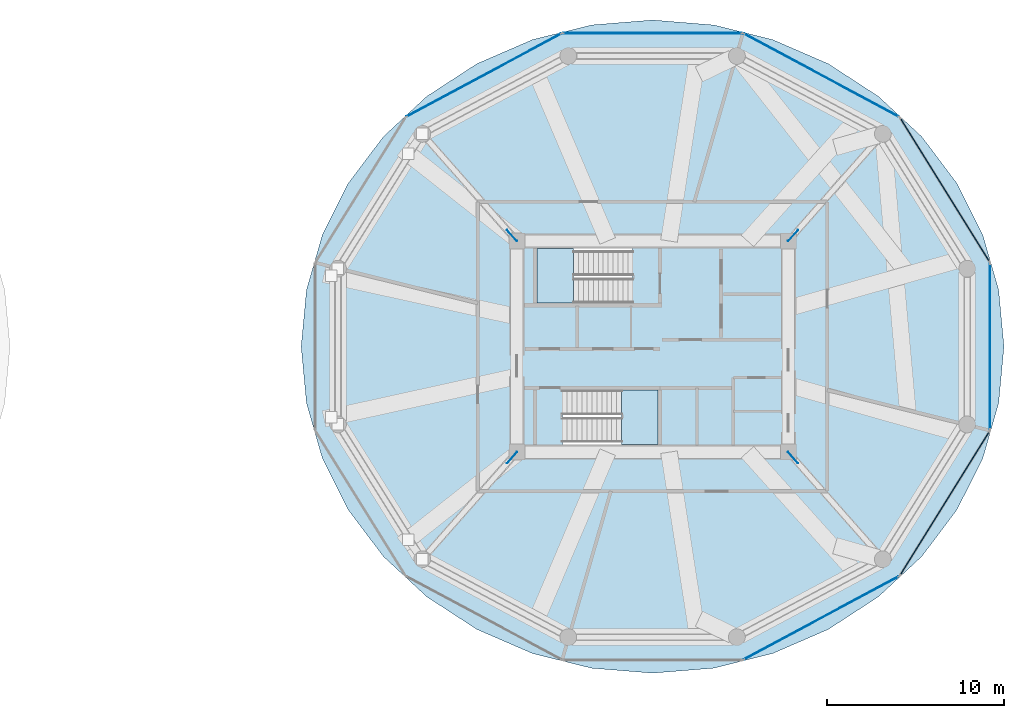
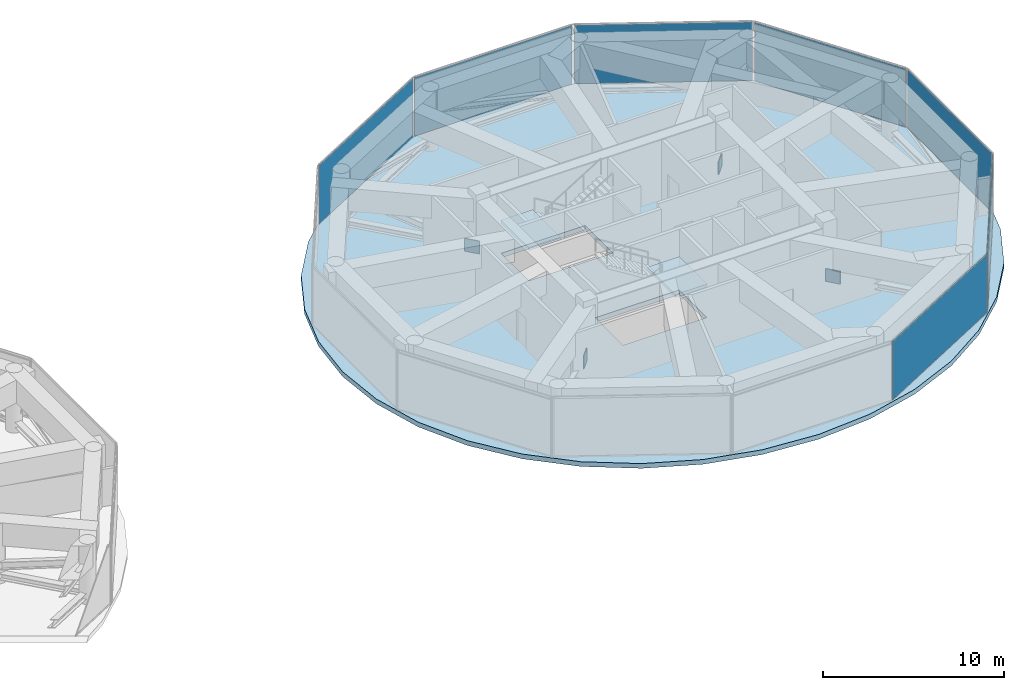
# One storey, part 15 of 22: 11 plates, 3 slabs, 9 elements without a shape of their own.
"""IFC4 building model written with IfcOpenShell, lengths in metres."""

from ifc_helpers import new_model, si_unit, direction, frame, origin, origin_2d, place, context, subcontext, project, spatial, polyline, rectangle, outline, extrude, source, transform, mapped, material, layer, layer_set, type_object, type_shapes, element, aggregate, save


model = new_model("IFC4")

# Units and contexts
model_context = context("Model", 3, precision=1e-05, world=origin(), true_north=direction((0.0, 1.0)))
body_context = subcontext(model_context, "Body", "Model", "MODEL_VIEW")
ifc_project = project(units=[si_unit("LENGTHUNIT", "METRE"), si_unit("AREAUNIT", "SQUARE_METRE"), si_unit("VOLUMEUNIT", "CUBIC_METRE"), si_unit("PLANEANGLEUNIT", "RADIAN"), si_unit("MASSUNIT", "GRAM", prefix="KILO")], contexts=[model_context])

# Site, building, storey
site_placement = place(None, origin())
site = spatial("IfcSite", under=ifc_project, at=site_placement, CompositionType="ELEMENT")
building_placement = place(site_placement, origin())
building = spatial("IfcBuilding", under=site, at=building_placement, Name="Norrkilde Senior Care Towers", CompositionType="ELEMENT")
storey_placement = place(building_placement, frame((0.0, 0.0, 73.449951171875)))
storey = spatial("IfcBuildingStorey", under=building, at=storey_placement, Name="L22", CompositionType="ELEMENT", Elevation=73.449951171875)

# Slab
ifc_material_1 = material(Name="Concrete C50/60", Category="concrete")
ifc_layer_1 = layer(ifc_material_1, 0.320068359375)
ifc_layer_set_1 = layer_set([ifc_layer_1], Name="Concrete C50/60")
slab_type_1 = type_object("IfcSlabType", Name="Podium Clinic Floor Slab 320", PredefinedType="FLOOR", material=ifc_layer_set_1)
slab_1_placement = place(storey_placement, frame((0.0, 0.0, -0.320068359375)))
element("IfcSlab", 1, at=slab_1_placement, inside=storey, type_object=slab_type_1, Name="L22 Drum E Structural Floor Slab", PredefinedType="FLOOR", context=body_context, shape_type="SweptSolid", body=[
    extrude(outline(polyline([(46.60595703125, -6.293212890625), (45.147216796875, -9.199951171875), (43.167724609375, -11.827392578125), (40.727294921875, -14.09521484375), (37.89990234375, -15.934814453125), (34.77197265625, -17.290283203125), (31.438232421875, -18.120361328125), (28.0, -18.39990234375), (24.561767578125, -18.120361328125), (21.22802734375, -17.290283203125), (18.10009765625, -15.934814453125), (15.272705078125, -14.09521484375), (12.832275390625, -11.827392578125), (10.852783203125, -9.199951171875), (9.39404296875, -6.293212890625), (8.500732421875, -3.195068359375), (8.199951171875, 0.0), (8.500732421875, 3.195068359375), (9.39404296875, 6.293212890625), (10.852783203125, 9.199951171875), (12.832275390625, 11.827392578125), (15.272705078125, 14.09521484375), (18.10009765625, 15.934814453125), (21.22802734375, 17.290283203125), (24.561767578125, 18.120361328125), (28.0, 18.39990234375), (31.438232421875, 18.120361328125), (34.77197265625, 17.290283203125), (37.89990234375, 15.934814453125), (40.727294921875, 14.09521484375), (43.167724609375, 11.827392578125), (45.147216796875, 9.199951171875), (46.60595703125, 6.293212890625), (47.499267578125, 3.195068359375), (47.800048828125, 0.0), (47.499267578125, -3.195068359375), (46.60595703125, -6.293212890625)]), holes=[polyline([(21.51806640625, 2.468017578125), (26.882080078125, 2.468017578125), (26.882080078125, 5.52490234375), (21.51806640625, 5.52490234375), (21.51806640625, 2.468017578125)]), polyline([(28.281982421875, -5.52490234375), (28.281982421875, -2.468017578125), (22.91796875, -2.468017578125), (22.91796875, -5.52490234375), (28.281982421875, -5.52490234375)])]), origin(), (0.0, 0.0, 1.0), 0.320068359375),
])

# Stair, slab
ifc_material_2 = material(Name="Concrete C45/55", Category="concrete")
stair_type = type_object("IfcStairType", Name="Core Protected Dogleg Stair Refuge 4500", PredefinedType="HALF_TURN_STAIR", material=ifc_material_2)
stair_1_placement = place(storey_placement, origin())
stair_1 = element("IfcStair", 2, at=stair_1_placement, inside=storey, type_object=stair_type, Name="L22 Protected Core Stair E1", PredefinedType="HALF_TURN_STAIR")
ifc_layer_2 = layer(ifc_material_2, 0.199951171875)
ifc_layer_set_2 = layer_set([ifc_layer_2], Name="Concrete C45/55")
slab_type_2 = type_object("IfcSlabType", Name="Stair Landing Slab 200", PredefinedType="LANDING", material=ifc_layer_set_2)
slab_2_placement = place(storey_placement, frame((0.0, 0.0, 2.050048828125)))
slab_2 = element("IfcSlab", 3, at=slab_2_placement, type_object=slab_type_2, Name="ST-E1 landing 1", PredefinedType="LANDING", context=body_context, shape_type="SweptSolid", body=[
    extrude(outline(polyline([(23.5400390625, 5.52490234375), (21.5, 5.52490234375), (21.5, 2.449951171875), (23.5400390625, 2.449951171875), (23.5400390625, 5.52490234375)])), origin(), (0.0, 0.0, 1.0), 0.199951171875),
])
aggregate(stair_1, [slab_2])

stair_2_placement = place(storey_placement, origin())
stair_2 = element("IfcStair", 4, at=stair_2_placement, inside=storey, type_object=stair_type, Name="L22 Protected Core Stair E2", PredefinedType="HALF_TURN_STAIR")
slab_3_placement = place(storey_placement, frame((0.0, 0.0, 2.050048828125)))
slab_3 = element("IfcSlab", 5, at=slab_3_placement, type_object=slab_type_2, Name="ST-E2 landing 1", PredefinedType="LANDING", context=body_context, shape_type="SweptSolid", body=[
    extrude(outline(polyline([(26.260009765625, -5.52490234375), (28.300048828125, -5.52490234375), (28.300048828125, -2.449951171875), (26.260009765625, -2.449951171875), (26.260009765625, -5.52490234375)])), origin(), (0.0, 0.0, 1.0), 0.199951171875),
])
aggregate(stair_2, [slab_3])

# Plates
ifc_material_3 = material(Name="Steel S355", Category="steel")
ifc_layer_3 = layer(ifc_material_3, 0.034912109375)
ifc_layer_set_3 = layer_set([ifc_layer_3], Name="Steel S355")
plate_type_1 = type_object("IfcPlateType", Name="Truss Node Gusset Plate 35", PredefinedType="USERDEFINED", material=ifc_layer_set_3)
shared_shape_1 = source(origin(), body_context, "Body", "SweptSolid", [
    extrude(rectangle(XDim=0.85009765625, YDim=0.034912109375, at=origin_2d()), origin(), (0.0, 0.0, 1.0), 0.85009765625),
])
type_shapes(plate_type_1, [shared_shape_1])
for number, where, z_axis, x_axis, name in (
    (6, (20.07861328125, -6.25732421875, 0.125), (0.0, 0.0, 1.0), (-0.661621756455, -0.749837750041, 0.0), "L22 Outrigger Node Assembly ND-1 Gusset Plate"),
    (7, (35.92138671875, -6.25732421875, 0.125), (0.0, 0.0, 1.0), (0.661621756455, -0.749837750041, 0.0), "L22 Outrigger Node Assembly ND-2 Gusset Plate"),
    (8, (35.92138671875, 6.25732421875, 0.125), (0.0, 0.0, 1.0), (0.661621756455, 0.749837750041, 0.0), "L22 Outrigger Node Assembly ND-3 Gusset Plate"),
    (9, (20.07861328125, 6.25732421875, 0.125), (0.0, 0.0, 1.0), (-0.661621756455, 0.749837750041, 0.0), "L22 Outrigger Node Assembly ND-4 Gusset Plate"),
):
    element("IfcPlate", number, at=place(storey_placement, frame(where, z_axis=z_axis, x_axis=x_axis)), inside=storey, type_object=plate_type_1, Name=name, ObjectType="GUSSET_PLATE", PredefinedType="USERDEFINED", context=body_context, shape_type="MappedRepresentation", body=[
        mapped(shared_shape_1, transform((0.0, 0.0, 0.0), x_axis=(1.0, 0.0, 0.0), y_axis=(0.0, 1.0, 0.0), z_axis=(0.0, 0.0, 1.0), scale=1.0)),
    ])

# Curtain wall, plate
ifc_material_4 = material(Name="Triple Low-E Insulated Glazing", Category="glass")
ifc_layer_4 = layer(ifc_material_4, 0.18505859375)
ifc_layer_set_4 = layer_set([ifc_layer_4], Name="Triple Low-E Insulated Glazing")
curtain_wall_type = type_object("IfcCurtainWallType", Name="CW6 Zone 4 Crown Pavilion Curtain Wall", PredefinedType="NOTDEFINED", material=ifc_layer_set_4)
curtain_wall_1_placement = place(storey_placement, origin())
curtain_wall_1 = element("IfcCurtainWall", 10, at=curtain_wall_1_placement, inside=storey, type_object=curtain_wall_type, Name="L22 Drum E Curtain Wall 00", PredefinedType="NOTDEFINED")
ifc_material_5 = material(Name="Architectural Terracotta", Category="masonry")
ifc_layer_5 = layer(ifc_material_5, 0.048095703125)
ifc_layer_set_5 = layer_set([ifc_layer_5], Name="Architectural Terracotta")
plate_type_2 = type_object("IfcPlateType", Name="Insulated Terracotta Spandrel Panel 48", PredefinedType="CURTAIN_PANEL", material=ifc_layer_set_5)
shared_shape_2 = source(origin(), body_context, "Body", "SweptSolid", [
    extrude(rectangle(XDim=9.5087890625, YDim=0.048095703125, at=origin_2d()), origin(), (0.0, 0.0, 1.0), 3.949951171875),
])
plate_1_placement = place(storey_placement, frame((44.462646484375, 8.82861328125, 0.06494140625), z_axis=(0.0, 0.0, 1.0), x_axis=(0.527900951871, -0.849305943117, 0.0)))
plate_1 = element("IfcPlate", 11, at=plate_1_placement, type_object=plate_type_2, Name="CW-6 panel 1.1", PredefinedType="CURTAIN_PANEL", context=body_context, shape_type="MappedRepresentation", body=[
    mapped(shared_shape_2, transform((0.0, 0.0, 0.0), x_axis=(1.0, 0.0, 0.0), y_axis=(0.0, 1.0, 0.0), z_axis=(0.0, 0.0, 1.0), scale=1.0)),
])
aggregate(curtain_wall_1, [plate_1])

curtain_wall_2_placement = place(storey_placement, origin())
curtain_wall_2 = element("IfcCurtainWall", 12, at=curtain_wall_2_placement, inside=storey, type_object=curtain_wall_type, Name="L22 Drum E Curtain Wall 10", PredefinedType="NOTDEFINED")
plate_2_placement = place(storey_placement, frame((44.462646484375, -8.82861328125, 0.06494140625), z_axis=(0.0, 0.0, 1.0), x_axis=(-0.527900951871, -0.849305943117, 0.0)))
plate_2 = element("IfcPlate", 13, at=plate_2_placement, type_object=plate_type_2, Name="CW-6 panel 1.1", PredefinedType="CURTAIN_PANEL", context=body_context, shape_type="MappedRepresentation", body=[
    mapped(shared_shape_2, transform((0.0, 0.0, 0.0), x_axis=(1.0, 0.0, 0.0), y_axis=(0.0, 1.0, 0.0), z_axis=(0.0, 0.0, 1.0), scale=1.0)),
])
aggregate(curtain_wall_2, [plate_2])

curtain_wall_3_placement = place(storey_placement, origin())
curtain_wall_3 = element("IfcCurtainWall", 14, at=curtain_wall_3_placement, inside=storey, type_object=curtain_wall_type, Name="L22 Drum E Curtain Wall 01", PredefinedType="NOTDEFINED")
shared_shape_3 = source(origin(), body_context, "Body", "SweptSolid", [
    extrude(rectangle(XDim=9.870849609375, YDim=0.048095703125, at=origin_2d()), origin(), (0.0, 0.0, 1.0), 3.949951171875),
])
plate_3_placement = place(storey_placement, frame((37.504638671875, 15.29150390625, 0.06494140625), z_axis=(0.0, 0.0, 1.0), x_axis=(0.881272866403, -0.472607802456, 0.0)))
plate_3 = element("IfcPlate", 15, at=plate_3_placement, type_object=plate_type_2, Name="CW-6 panel 1.1", PredefinedType="CURTAIN_PANEL", context=body_context, shape_type="MappedRepresentation", body=[
    mapped(shared_shape_3, transform((0.0, 0.0, 0.0), x_axis=(1.0, 0.0, 0.0), y_axis=(0.0, 1.0, 0.0), z_axis=(0.0, 0.0, 1.0), scale=1.0)),
])
aggregate(curtain_wall_3, [plate_3])

curtain_wall_4_placement = place(storey_placement, origin())
curtain_wall_4 = element("IfcCurtainWall", 16, at=curtain_wall_4_placement, inside=storey, type_object=curtain_wall_type, Name="L22 Drum E Curtain Wall 03", PredefinedType="NOTDEFINED")
plate_4_placement = place(storey_placement, frame((18.495361328125, 15.29150390625, 0.06494140625), z_axis=(0.0, 0.0, 1.0), x_axis=(0.881272866403, 0.472607802456, 0.0)))
plate_4 = element("IfcPlate", 17, at=plate_4_placement, type_object=plate_type_2, Name="CW-6 panel 1.1", PredefinedType="CURTAIN_PANEL", context=body_context, shape_type="MappedRepresentation", body=[
    mapped(shared_shape_3, transform((0.0, 0.0, 0.0), x_axis=(1.0, 0.0, 0.0), y_axis=(0.0, 1.0, 0.0), z_axis=(0.0, 0.0, 1.0), scale=1.0)),
])
aggregate(curtain_wall_4, [plate_4])

curtain_wall_5_placement = place(storey_placement, origin())
curtain_wall_5 = element("IfcCurtainWall", 18, at=curtain_wall_5_placement, inside=storey, type_object=curtain_wall_type, Name="L22 Drum E Curtain Wall 09", PredefinedType="NOTDEFINED")
plate_5_placement = place(storey_placement, frame((37.504638671875, -15.29150390625, 0.06494140625), z_axis=(0.0, 0.0, 1.0), x_axis=(-0.881272866403, -0.472607802456, 0.0)))
plate_5 = element("IfcPlate", 19, at=plate_5_placement, type_object=plate_type_2, Name="CW-6 panel 1.1", PredefinedType="CURTAIN_PANEL", context=body_context, shape_type="MappedRepresentation", body=[
    mapped(shared_shape_3, transform((0.0, 0.0, 0.0), x_axis=(1.0, 0.0, 0.0), y_axis=(0.0, 1.0, 0.0), z_axis=(0.0, 0.0, 1.0), scale=1.0)),
])
aggregate(curtain_wall_5, [plate_5])

curtain_wall_6_placement = place(storey_placement, origin())
curtain_wall_6 = element("IfcCurtainWall", 20, at=curtain_wall_6_placement, inside=storey, type_object=curtain_wall_type, Name="L22 Drum E Curtain Wall 02", PredefinedType="NOTDEFINED")
shared_shape_4 = source(origin(), body_context, "Body", "SweptSolid", [
    extrude(rectangle(XDim=10.047119140625, YDim=0.048095703125, at=origin_2d()), origin(), (0.0, 0.0, 1.0), 3.949951171875),
])
plate_6_placement = place(storey_placement, frame((28.0, 17.6572265625, 0.06494140625), z_axis=(0.0, 0.0, 1.0), x_axis=(1.0, 0.0, 0.0)))
plate_6 = element("IfcPlate", 21, at=plate_6_placement, type_object=plate_type_2, Name="CW-6 panel 1.1", PredefinedType="CURTAIN_PANEL", context=body_context, shape_type="MappedRepresentation", body=[
    mapped(shared_shape_4, transform((0.0, 0.0, 0.0), x_axis=(1.0, 0.0, 0.0), y_axis=(0.0, 1.0, 0.0), z_axis=(0.0, 0.0, 1.0), scale=1.0)),
])
aggregate(curtain_wall_6, [plate_6])

curtain_wall_7_placement = place(storey_placement, origin())
curtain_wall_7 = element("IfcCurtainWall", 22, at=curtain_wall_7_placement, inside=storey, type_object=curtain_wall_type, Name="L22 Drum E Curtain Wall 11", PredefinedType="NOTDEFINED")
shared_shape_5 = source(origin(), body_context, "Body", "SweptSolid", [
    extrude(rectangle(XDim=9.322509765625, YDim=0.048095703125, at=origin_2d()), origin(), (0.0, 0.0, 1.0), 3.949951171875),
])
type_shapes(plate_type_2, [shared_shape_2, shared_shape_3, shared_shape_4, shared_shape_5])
plate_7_placement = place(storey_placement, frame((47.009521484375, 0.0, 0.06494140625), z_axis=(0.0, 0.0, 1.0), x_axis=(0.0, -1.0, 0.0)))
plate_7 = element("IfcPlate", 23, at=plate_7_placement, type_object=plate_type_2, Name="CW-6 panel 1.1", PredefinedType="CURTAIN_PANEL", context=body_context, shape_type="MappedRepresentation", body=[
    mapped(shared_shape_5, transform((0.0, 0.0, 0.0), x_axis=(1.0, 0.0, 0.0), y_axis=(0.0, 1.0, 0.0), z_axis=(0.0, 0.0, 1.0), scale=1.0)),
])
aggregate(curtain_wall_7, [plate_7])

save(model, "model.ifc")
